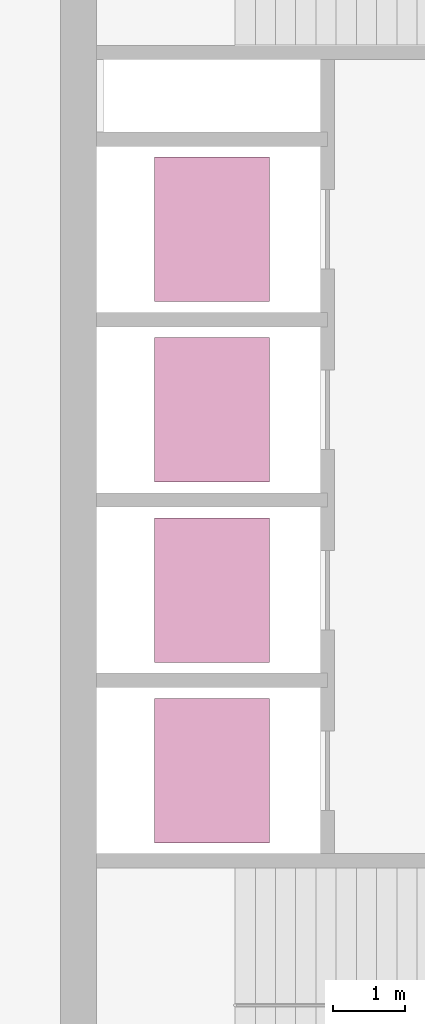
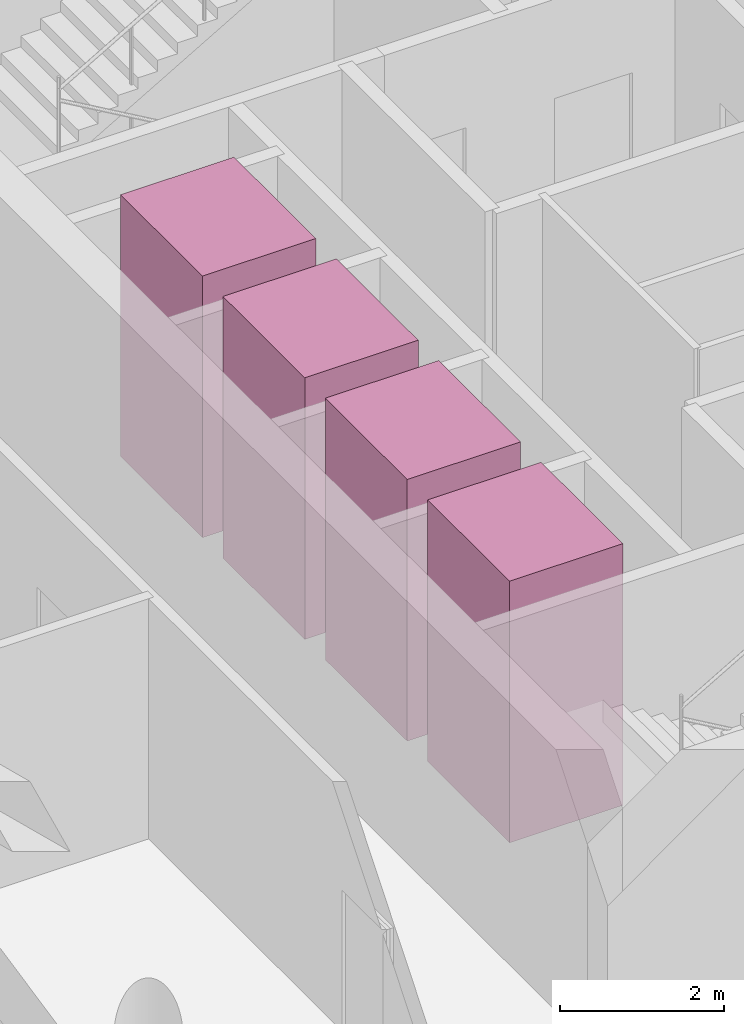
# One storey, part 8 of 8: 4 transport elements.
"""IFC4 building model written with IfcOpenShell, lengths in metres."""

import ifcopenshell
import ifcopenshell.guid

model = None  # the IFC model being written
_history = None  # IfcOwnerHistory: only IFC2X3 demands one
_inside = {}  # id of a spatial element -> (the spatial element, [elements in it])
_under = {}  # id of a project, library or spatial element -> (it, [spatial elements below it])
_declared = {}  # id of a project -> (the project, [libraries it declares])
_typed = {}  # id of a type object -> (the type object, [elements of that type])
_made_of = {}  # id of a material, layer set ... -> (it, [elements and type objects made of it])


def new_model(schema):
    """Start an empty IFC model of exactly this schema.

    Asked for "IFC4X3", IfcOpenShell would pick the latest addendum, in which some entities
    have other attributes; the version numbers below select the first issue.
    IFC2X3 requires an IfcOwnerHistory on every rooted entity: one is made here for all.
    """
    global model, _history
    if schema == "IFC4X3":
        model = ifcopenshell.file(schema_version=(4, 3, 0, 0))
    else:
        model = ifcopenshell.file(schema=schema)
    _inside.clear()
    _under.clear()
    _declared.clear()
    _typed.clear()
    _made_of.clear()
    _history = None
    if model.schema == "IFC2X3":
        org = make("IfcOrganization", Name="unknown")
        user = make(
            "IfcPersonAndOrganization",
            ThePerson=make("IfcPerson", FamilyName="unknown"),
            TheOrganization=org,
        )
        app = make(
            "IfcApplication",
            ApplicationDeveloper=org,
            Version="unknown",
            ApplicationFullName="unknown",
            ApplicationIdentifier="unknown",
        )
        _history = make(
            "IfcOwnerHistory",
            OwningUser=user,
            OwningApplication=app,
            ChangeAction="ADDED",
            CreationDate=0,
        )
    return model


def make(cls, **values):
    """One entity of the class cls with the attributes given. An attribute that is None is left unset."""
    return model.create_entity(
        cls, **{name: value for name, value in values.items() if value is not None}
    )


def rooted(cls, **values):
    """An entity with a GlobalId (a new one), such as an element, a storey or a relation."""
    return make(cls, GlobalId=ifcopenshell.guid.new(), OwnerHistory=_history, **values)


def si_unit(unit_type, name, prefix=None):
    """IfcSIUnit, for example si_unit("LENGTHUNIT", "METRE", prefix="MILLI")."""
    return make("IfcSIUnit", UnitType=unit_type, Prefix=prefix, Name=name)


def assignment(units):
    """IfcUnitAssignment: the units of a project."""
    return None if units is None else make("IfcUnitAssignment", Units=units)


def point(xyz):
    """IfcCartesianPoint."""
    return None if xyz is None else make("IfcCartesianPoint", Coordinates=xyz)


def direction(xyz):
    """IfcDirection."""
    return None if xyz is None else make("IfcDirection", DirectionRatios=xyz)


def frame(location, z_axis=None, x_axis=None):
    """IfcAxis2Placement3D, a coordinate frame: its origin and axes. An axis left out is left unset."""
    return make(
        "IfcAxis2Placement3D",
        Location=point(location),
        Axis=direction(z_axis),
        RefDirection=direction(x_axis),
    )


def frame_2d(location, x_axis=None):
    """IfcAxis2Placement2D, a coordinate frame in the plane: its origin and x axis."""
    return make(
        "IfcAxis2Placement2D", Location=point(location), RefDirection=direction(x_axis)
    )


def origin():
    """The frame at (0, 0, 0) with its axes left unset."""
    return frame((0.0, 0.0, 0.0))


def origin_2d():
    """The frame at (0, 0) in the plane with its x axis left unset."""
    return frame_2d((0.0, 0.0))


def place(relative_to, where):
    """IfcLocalPlacement: puts the frame where relative to a parent placement (None: the world)."""
    return make(
        "IfcLocalPlacement", PlacementRelTo=relative_to, RelativePlacement=where
    )


def context(
    kind, dimensions, precision=None, world=None, true_north=None, identifier=None
):
    """IfcGeometricRepresentationContext, for example the 3D "Model" context."""
    return make(
        "IfcGeometricRepresentationContext",
        ContextIdentifier=identifier,
        ContextType=kind,
        CoordinateSpaceDimension=dimensions,
        Precision=precision,
        WorldCoordinateSystem=world,
        TrueNorth=true_north,
    )


def subcontext(parent, identifier, kind, view, scale=None):
    """IfcGeometricRepresentationSubContext, for example "Body" below "Model"."""
    return make(
        "IfcGeometricRepresentationSubContext",
        ContextIdentifier=identifier,
        ContextType=kind,
        ParentContext=parent,
        TargetScale=scale,
        TargetView=view,
    )


def project(units=None, contexts=None):
    """IfcProject with its units and contexts."""
    return rooted(
        "IfcProject",
        Name="project",
        RepresentationContexts=contexts,
        UnitsInContext=assignment(units),
    )


def spatial(cls, under=None, at=None, **own):
    """A site, building, storey or space (cls), placed at a placement, below another one or the project."""
    s = rooted(cls, ObjectPlacement=at, **own)
    if under is not None:
        _under.setdefault(under.id(), (under, []))[1].append(s)
    return s


def profile(cls, at=None, kind="AREA", **sizes):
    """A parametric profile (cls). Its sizes go by their IFC names, for example OverallWidth=200.0."""
    return make(cls, ProfileType=kind, Position=at, **sizes)


def rectangle(**sizes):
    """IfcRectangleProfileDef."""
    return profile("IfcRectangleProfileDef", **sizes)


def extrude(swept, where, along, depth):
    """IfcExtrudedAreaSolid: the profile swept, set in the frame where, extruded along a direction by depth."""
    return make(
        "IfcExtrudedAreaSolid",
        SweptArea=swept,
        Position=where,
        ExtrudedDirection=direction(along),
        Depth=depth,
    )


def shape(context_of_items, identifier, shape_type, items):
    """IfcShapeRepresentation: the items that make up one representation, for example the "Body"."""
    return make(
        "IfcShapeRepresentation",
        ContextOfItems=context_of_items,
        RepresentationIdentifier=identifier,
        RepresentationType=shape_type,
        Items=items,
    )


def material(Name=None, Category=None):
    """IfcMaterial."""
    return make("IfcMaterial", Name=Name, Category=Category)


def made_of(thing, what):
    """Note that an element or type object is made of a material, layer set ...; save() writes the relation."""
    if what is not None:
        _made_of.setdefault(what.id(), (what, []))[1].append(thing)
    return thing


def type_object(cls, material=None, **own):
    """A type object (cls), such as IfcWallType, which elements share."""
    return made_of(rooted(cls, **own), material)


def element(
    cls,
    number,
    at=None,
    inside=None,
    cuts=None,
    type_object=None,
    material=None,
    context=None,
    identifier="Body",
    shape_type=None,
    held_by="IfcProductDefinitionShape",
    body=None,
    shapes=None,
    **own,
):
    """One element of the class cls, such as IfcWall. Its Tag is "e" and its number.

    at: its placement. inside: the storey or other place that contains it. cuts: it is an
    opening in that element (IfcRelVoidsElement). A single representation is given by context,
    identifier, shape_type and body (its items); several are given by shapes. held_by: the class
    of the entity that holds the representations. save() writes the other relations.
    """
    e = rooted(cls, Tag="e%d" % number, ObjectPlacement=at, **own)
    if body is not None:
        shapes = [shape(context, identifier, shape_type, body)]
    if shapes is not None:
        e.Representation = make(held_by, Representations=shapes)
    if inside is not None:
        _inside.setdefault(inside.id(), (inside, []))[1].append(e)
    if cuts is not None:
        rooted(
            "IfcRelVoidsElement", RelatingBuildingElement=cuts, RelatedOpeningElement=e
        )
    if type_object is not None:
        _typed.setdefault(type_object.id(), (type_object, []))[1].append(e)
    return made_of(e, material)


def aggregate(whole, parts):
    """IfcRelAggregates: a whole, such as a stair, and the parts it consists of."""
    return rooted("IfcRelAggregates", RelatingObject=whole, RelatedObjects=parts)


def save(model, path):
    """Write the relations noted so far, then the file.

    IfcRelAggregates (storeys below a building ...), IfcRelContainedInSpatialStructure (elements
    in a storey), IfcRelDefinesByType, IfcRelAssociatesMaterial and IfcRelDeclares: one each for
    every whole, place, type object, material and project.
    """
    for whole, parts in _under.values():
        aggregate(whole, parts)
    for where, things in _inside.values():
        rooted(
            "IfcRelContainedInSpatialStructure",
            RelatedElements=things,
            RelatingStructure=where,
        )
    for kind, things in _typed.values():
        rooted("IfcRelDefinesByType", RelatedObjects=things, RelatingType=kind)
    for what, things in _made_of.values():
        rooted("IfcRelAssociatesMaterial", RelatedObjects=things, RelatingMaterial=what)
    for by, libraries in _declared.values():
        rooted("IfcRelDeclares", RelatingContext=by, RelatedDefinitions=libraries)
    model.write(path)


model = new_model("IFC4")

# Units and contexts
model_context = context("Model", 3, precision=1e-05, world=origin(), true_north=direction((0.0, 1.0)))
body_context = subcontext(model_context, "Body", "Model", "MODEL_VIEW")
ifc_project = project(units=[si_unit("LENGTHUNIT", "METRE"), si_unit("AREAUNIT", "SQUARE_METRE"), si_unit("VOLUMEUNIT", "CUBIC_METRE"), si_unit("PLANEANGLEUNIT", "RADIAN"), si_unit("MASSUNIT", "GRAM", prefix="KILO")], contexts=[model_context])

# Site, building, storey
site_placement = place(None, origin())
site = spatial("IfcSite", under=ifc_project, at=site_placement, CompositionType="ELEMENT")
building_placement = place(site_placement, origin())
building = spatial("IfcBuilding", under=site, at=building_placement, Name="Qaws Garden Tower", CompositionType="ELEMENT")
storey_placement = place(building_placement, frame((0.0, 0.0, 286.5)))
storey = spatial("IfcBuildingStorey", under=building, at=storey_placement, Name="L69", CompositionType="ELEMENT", Elevation=286.5)

# Transport elements
ifc_material = material(Name="Stainless steel 316", Category="steel")
transport_element_type = type_object("IfcTransportElementType", Name="Passenger lift car 2000x1600 1800 kg", PredefinedType="ELEVATOR", material=ifc_material)
for number, where, z_axis, x_axis, name in (
    (1, (10.10009765625, 13.64990234375, 0.0), (0.0, 0.0, 1.0), (1.0, 0.0, 0.0), "HR1"),
    (2, (10.10009765625, 16.14990234375, 0.0), (0.0, 0.0, 1.0), (1.0, 0.0, 0.0), "HR2"),
    (3, (10.10009765625, 18.64990234375, 0.0), (0.0, 0.0, 1.0), (1.0, 0.0, 0.0), "HR3"),
    (4, (10.10009765625, 21.14990234375, 0.0), (0.0, 0.0, 1.0), (1.0, 0.0, 0.0), "HR4"),
):
    element("IfcTransportElement", number, at=place(storey_placement, frame(where, z_axis=z_axis, x_axis=x_axis)), inside=storey, type_object=transport_element_type, Name=name, PredefinedType="ELEVATOR", context=body_context, shape_type="SweptSolid", body=[
        extrude(rectangle(XDim=1.60009765625, YDim=2.0, at=origin_2d()), origin(), (0.0, 0.0, 1.0), 3.89990234375),
    ])

save(model, "model.ifc")
